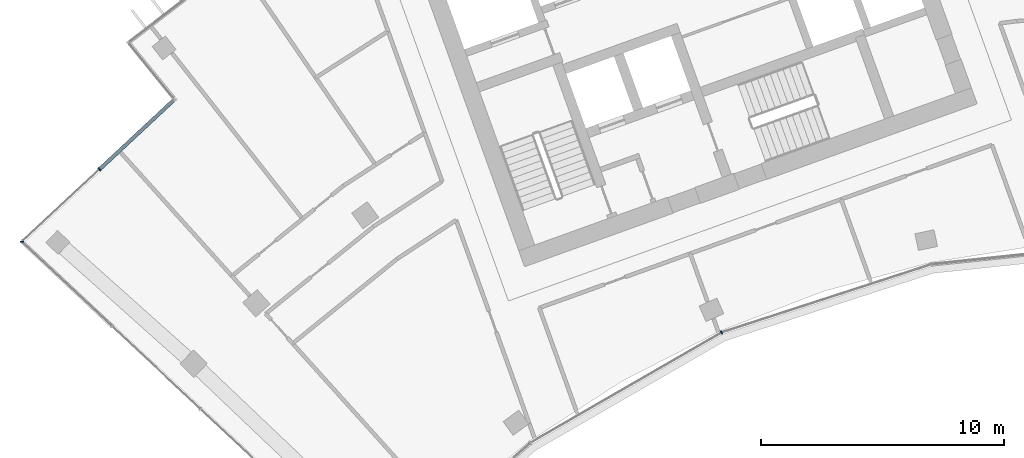
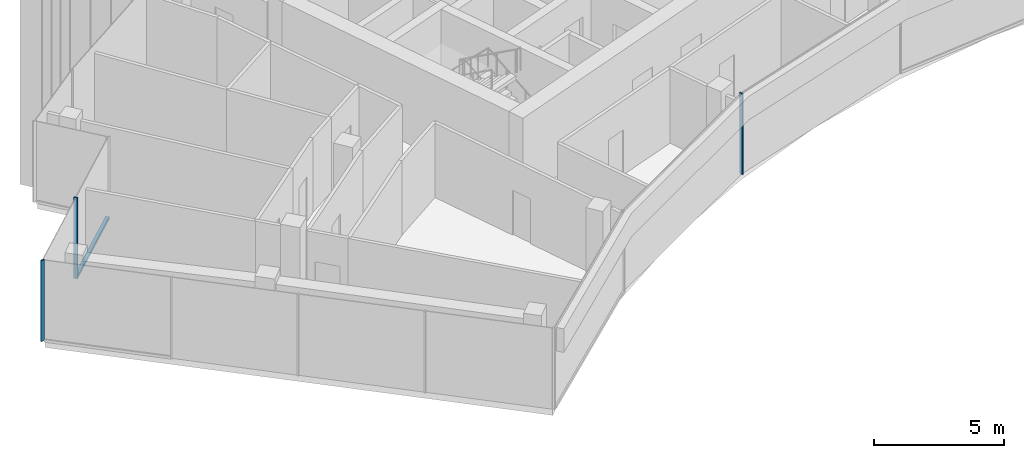
# One storey, part 3 of 19: 4 members, 3 elements without a shape of their own.
"""IFC4 building model written with IfcOpenShell, lengths in metres."""

from ifc_helpers import new_model, si_unit, direction, frame, origin, origin_2d, place, context, subcontext, project, spatial, rectangle, extrude, material, layer, layer_set, material_profile, profile_set, type_object, element, aggregate, save


model = new_model("IFC4")

# Units and contexts
model_context = context("Model", 3, precision=1e-05, world=origin(), true_north=direction((0.0, 1.0)))
body_context = subcontext(model_context, "Body", "Model", "MODEL_VIEW")
ifc_project = project(units=[si_unit("LENGTHUNIT", "METRE"), si_unit("AREAUNIT", "SQUARE_METRE"), si_unit("VOLUMEUNIT", "CUBIC_METRE"), si_unit("PLANEANGLEUNIT", "RADIAN"), si_unit("MASSUNIT", "GRAM", prefix="KILO")], contexts=[model_context])

# Site, building, storey
site_placement = place(None, origin())
site = spatial("IfcSite", under=ifc_project, at=site_placement, CompositionType="ELEMENT")
building_placement = place(site_placement, origin())
building = spatial("IfcBuilding", under=site, at=building_placement, Name="Stone Belt Terrace Tower", CompositionType="ELEMENT")
storey_placement = place(building_placement, frame((0.0, 0.0, 258.0)))
storey = spatial("IfcBuildingStorey", under=building, at=storey_placement, Name="L62", CompositionType="ELEMENT", Elevation=258.0)

# Curtain wall, member
ifc_material = material(Name="Aluminium 6063-T6 anodised frame", Category="aluminium")
ifc_layer_1 = layer(ifc_material, 0.14990234375)
ifc_layer_set_1 = layer_set([ifc_layer_1], Name="CW-B unitised concave-face curtain wall")
curtain_wall_type_1 = type_object("IfcCurtainWallType", Name="CW-B unitised concave-face curtain wall", PredefinedType="NOTDEFINED", material=ifc_layer_set_1)
curtain_wall_1_placement = place(storey_placement, origin())
curtain_wall_1 = element("IfcCurtainWall", 1, at=curtain_wall_1_placement, inside=storey, type_object=curtain_wall_type_1, Name="CW-B concave face L62", PredefinedType="NOTDEFINED")
ifc_material_profile_1 = material_profile(ifc_material, rectangle(XDim=0.14990234375, YDim=0.050048828125, at=origin_2d()), Name="Aluminium 6063-T6 50x150")
ifc_profile_set_1 = profile_set([ifc_material_profile_1], Name="Aluminium 6063-T6 anodised frame")
member_type_1 = type_object("IfcMemberType", Name="CW-B mullion 50 x 150", PredefinedType="MULLION", material=ifc_profile_set_1)
member_1_placement = place(storey_placement, frame((-17.662353515625, 39.67041015625, 0.0), z_axis=(0.0, 0.0, 1.0), x_axis=(-0.406736643076, 0.913545457643, 0.0)))
member_1 = element("IfcMember", 2, at=member_1_placement, type_object=member_type_1, Name="CW-B mullion 3", PredefinedType="MULLION", context=body_context, shape_type="SweptSolid", body=[
    extrude(rectangle(XDim=0.14990234375, YDim=0.050048828125, at=origin_2d()), origin(), (0.0, 0.0, 1.0), 3.800048828125),
])
aggregate(curtain_wall_1, [member_1])

ifc_layer_2 = layer(ifc_material, 0.14990234375)
ifc_layer_set_2 = layer_set([ifc_layer_2], Name="CW-C stick curtain wall, horn ends and notches")
curtain_wall_type_2 = type_object("IfcCurtainWallType", Name="CW-C stick curtain wall, horn ends and notches", PredefinedType="NOTDEFINED", material=ifc_layer_set_2)
curtain_wall_2_placement = place(storey_placement, origin())
curtain_wall_2 = element("IfcCurtainWall", 3, at=curtain_wall_2_placement, inside=storey, type_object=curtain_wall_type_2, Name="CW-C notch face L62", PredefinedType="NOTDEFINED")
ifc_material_profile_2 = material_profile(ifc_material, rectangle(XDim=0.14990234375, YDim=0.06005859375, at=origin_2d()), Name="Aluminium 6063-T6 60x150")
ifc_profile_set_2 = profile_set([ifc_material_profile_2], Name="Aluminium 6063-T6 anodised frame")
member_type_2 = type_object("IfcMemberType", Name="CW-C mullion 60 x 150", PredefinedType="MULLION", material=ifc_profile_set_2)
member_2_placement = place(storey_placement, frame((-43.260009765625, 46.388671875, 0.0), z_axis=(0.0, 0.0, 1.0), x_axis=(0.682013767261, -0.731339333871, 0.0)))
member_2 = element("IfcMember", 4, at=member_2_placement, type_object=member_type_2, Name="CW-C mullion 2", PredefinedType="MULLION", context=body_context, shape_type="SweptSolid", body=[
    extrude(rectangle(XDim=0.14990234375, YDim=0.06005859375, at=origin_2d()), origin(), (0.0, 0.0, 1.0), 3.800048828125),
])

curtain_wall_3_placement = place(storey_placement, origin())
curtain_wall_3 = element("IfcCurtainWall", 5, at=curtain_wall_3_placement, inside=storey, type_object=curtain_wall_type_2, Name="CW-C end face L62", PredefinedType="NOTDEFINED")
member_3_placement = place(storey_placement, frame((-46.458740234375, 43.405517578125, 0.0), z_axis=(0.0, 0.0, 1.0), x_axis=(0.999999447771, -0.00105093149, 0.0)))
member_3 = element("IfcMember", 6, at=member_3_placement, type_object=member_type_2, Name="CW-C mullion 1", PredefinedType="MULLION", context=body_context, shape_type="SweptSolid", body=[
    extrude(rectangle(XDim=0.14990234375, YDim=0.06005859375, at=origin_2d()), origin(), (0.0, 0.0, 1.0), 3.800048828125),
])
aggregate(curtain_wall_3, [member_3])

# Member
ifc_material_profile_3 = material_profile(ifc_material, rectangle(XDim=0.14990234375, YDim=0.1201171875, at=origin_2d()), Name="Aluminium 6063-T6 150x120")
ifc_profile_set_3 = profile_set([ifc_material_profile_3], Name="Aluminium 6063-T6 anodised frame")
member_type_3 = type_object("IfcMemberType", Name="CW-C transom 120 x 150", PredefinedType="USERDEFINED", material=ifc_profile_set_3)
member_4_placement = place(storey_placement, frame((-40.224365234375, 49.21923828125, 0.06005859375), z_axis=(-0.731382255625, -0.681967738355, 0.0), x_axis=(0.681967738355, -0.731382255625, 0.0)))
member_4 = element("IfcMember", 7, at=member_4_placement, type_object=member_type_3, Name="CW-C transom 1.1", ObjectType="TRANSOM", PredefinedType="USERDEFINED", context=body_context, shape_type="SweptSolid", body=[
    extrude(rectangle(XDim=0.14990234375, YDim=0.1201171875, at=origin_2d()), origin(), (0.0, 0.0, 1.0), 4.12060546875),
])

aggregate(curtain_wall_2, [member_2, member_4])

save(model, "model.ifc")
